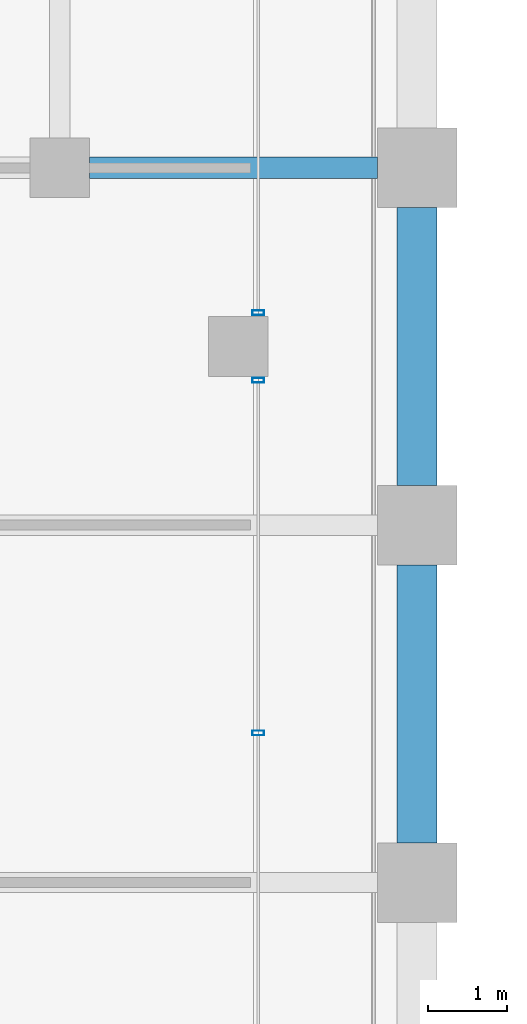
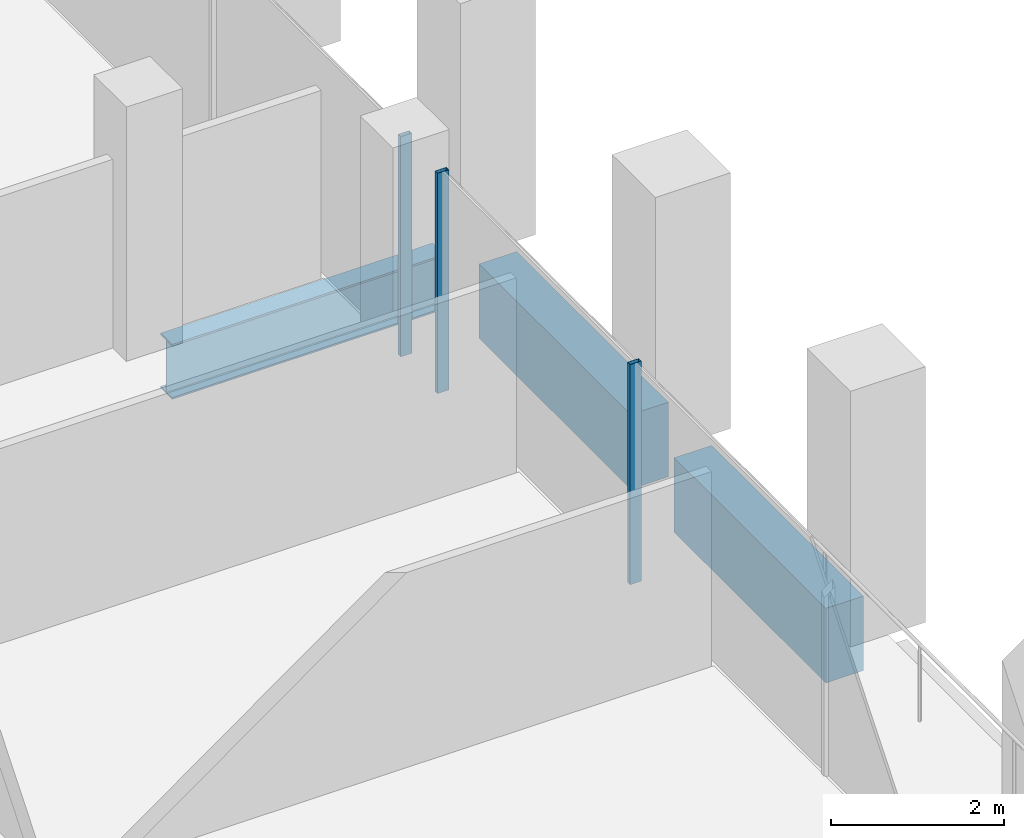
# One storey, part 19 of 47: 3 beams, 3 members, 2 elements without a shape of their own.
"""IFC4 building model written with IfcOpenShell, lengths in metres."""

from ifc_helpers import new_model, si_unit, direction, frame, origin, origin_2d, place, context, subcontext, project, spatial, rectangle, hollow_rectangle, i_section, extrude, material, material_profile, profile_set, type_object, element, aggregate, save


model = new_model("IFC4")

# Units and contexts
model_context = context("Model", 3, precision=1e-05, world=origin(), true_north=direction((0.0, 1.0)))
body_context = subcontext(model_context, "Body", "Model", "MODEL_VIEW")
ifc_project = project(units=[si_unit("LENGTHUNIT", "METRE"), si_unit("AREAUNIT", "SQUARE_METRE"), si_unit("VOLUMEUNIT", "CUBIC_METRE"), si_unit("PLANEANGLEUNIT", "RADIAN"), si_unit("MASSUNIT", "GRAM", prefix="KILO")], contexts=[model_context])

# Site, building, storey
site_placement = place(None, origin())
site = spatial("IfcSite", under=ifc_project, at=site_placement, CompositionType="ELEMENT")
building_placement = place(site_placement, origin())
building = spatial("IfcBuilding", under=site, at=building_placement, Name="Altepetl Exchange Towers", CompositionType="ELEMENT")
storey_placement = place(building_placement, frame((0.0, 0.0, 99.199951171875)))
storey = spatial("IfcBuildingStorey", under=building, at=storey_placement, Name="L24", CompositionType="ELEMENT", Elevation=99.199951171875)

# Beam
ifc_material_1 = material(Name="Steel S355", Category="steel")
ifc_material_profile_1 = material_profile(ifc_material_1, i_section(OverallWidth=0.26806640625, OverallDepth=0.77392578125, WebThickness=0.015380859375, FlangeThickness=0.025390625, at=origin_2d()), Name="W30X132")
ifc_profile_set_1 = profile_set([ifc_material_profile_1], Name="Steel S355")
beam_type_1 = type_object("IfcBeamType", Name="Girder W30X132", PredefinedType="BEAM", material=ifc_profile_set_1)
beam_placement = place(storey_placement, frame((67.875, 58.5, -0.536865234375), z_axis=(1.0, 0.0, 0.0), x_axis=(0.0, 1.0, 0.0)))
element("IfcBeam", 1, at=beam_placement, inside=storey, type_object=beam_type_1, Name="gd:A:L24:002", PredefinedType="BEAM", context=body_context, shape_type="SweptSolid", body=[
    extrude(i_section(OverallWidth=0.26806640625, OverallDepth=0.77392578125, WebThickness=0.015380859375, FlangeThickness=0.025390625, at=origin_2d()), origin(), (0.0, 0.0, 1.0), 3.625),
])

# Curtain wall, members
ifc_material_2 = material(Name="Aluminium 6063-T6 glazing", Category="aluminium")
curtain_wall_type = type_object("IfcCurtainWallType", Name="Loggia glazing system", PredefinedType="NOTDEFINED", material=ifc_material_2)
curtain_wall_1_placement = place(storey_placement, origin())
curtain_wall_1 = element("IfcCurtainWall", 2, at=curtain_wall_1_placement, inside=storey, type_object=curtain_wall_type, Name="CW1 run", PredefinedType="NOTDEFINED")
ifc_material_3 = material(Name="Aluminium 6063-T6", Category="aluminium")
ifc_material_profile_2 = material_profile(ifc_material_3, hollow_rectangle(XDim=0.06005859375, YDim=0.14990234375, WallThickness=0.0029296875, at=origin_2d()), Name="Mullion 60x150 aluminium")
ifc_profile_set_2 = profile_set([ifc_material_profile_2], Name="Aluminium 6063-T6")
member_type = type_object("IfcMemberType", Name="Mullion 60x150 aluminium", PredefinedType="MULLION", material=ifc_profile_set_2)
member_1_placement = place(storey_placement, frame((70.0, 51.384033203125, 0.0), z_axis=(0.0, 0.0, 1.0), x_axis=(0.0, 1.0, 0.0)))
member_1 = element("IfcMember", 3, at=member_1_placement, type_object=member_type, Name="MU1 mullion", PredefinedType="MULLION", context=body_context, shape_type="SweptSolid", body=[
    extrude(hollow_rectangle(XDim=0.06005859375, YDim=0.14990234375, WallThickness=0.0029296875, at=origin_2d()), origin(), (0.0, 0.0, 1.0), 3.10009765625),
])
member_2_placement = place(storey_placement, frame((70.0, 55.824951171875, 0.0), z_axis=(0.0, 0.0, 1.0), x_axis=(0.0, 1.0, 0.0)))
member_2 = element("IfcMember", 4, at=member_2_placement, type_object=member_type, Name="MU1 mullion", PredefinedType="MULLION", context=body_context, shape_type="SweptSolid", body=[
    extrude(hollow_rectangle(XDim=0.06005859375, YDim=0.14990234375, WallThickness=0.0029296875, at=origin_2d()), origin(), (0.0, 0.0, 1.0), 3.10009765625),
])
aggregate(curtain_wall_1, [member_1, member_2])

# Curtain wall, member
curtain_wall_2_placement = place(storey_placement, origin())
curtain_wall_2 = element("IfcCurtainWall", 5, at=curtain_wall_2_placement, inside=storey, type_object=curtain_wall_type, Name="CW1 run", PredefinedType="NOTDEFINED")
member_3_placement = place(storey_placement, frame((70.0, 56.675048828125, 0.0), z_axis=(0.0, 0.0, 1.0), x_axis=(0.0, 1.0, 0.0)))
member_3 = element("IfcMember", 6, at=member_3_placement, type_object=member_type, Name="MU1 mullion", PredefinedType="MULLION", context=body_context, shape_type="SweptSolid", body=[
    extrude(hollow_rectangle(XDim=0.06005859375, YDim=0.14990234375, WallThickness=0.0029296875, at=origin_2d()), origin(), (0.0, 0.0, 1.0), 3.10009765625),
])
aggregate(curtain_wall_2, [member_3])

# Beams
ifc_material_4 = material(Name="Concrete C50/60 precast with cantera amarilla facing", Category="concrete")
ifc_material_profile_3 = material_profile(ifc_material_4, rectangle(XDim=0.5, YDim=1.050048828125, at=origin_2d()), Name="500 x 1050")
ifc_profile_set_3 = profile_set([ifc_material_profile_3], Name="Concrete C50/60 precast with cantera amarilla facing")
beam_type_2 = type_object("IfcBeamType", Name="Spandrel beam 500x1050 cantera amarilla", PredefinedType="SPANDREL", material=ifc_profile_set_3)
for number, where, z_axis, x_axis, name in (
    (7, (72.0, 50.0, -0.675048828125), (0.0, 1.0, 0.0), (-1.0, 0.0, 0.0), "sp:A:L24:016"),
    (8, (72.0, 54.5, -0.675048828125), (0.0, 1.0, 0.0), (-1.0, 0.0, 0.0), "sp:A:L24:017"),
):
    element("IfcBeam", number, at=place(storey_placement, frame(where, z_axis=z_axis, x_axis=x_axis)), inside=storey, type_object=beam_type_2, Name=name, PredefinedType="SPANDREL", context=body_context, shape_type="SweptSolid", body=[
        extrude(rectangle(XDim=0.5, YDim=1.050048828125, at=origin_2d()), origin(), (0.0, 0.0, 1.0), 3.5),
    ])

save(model, "model.ifc")
